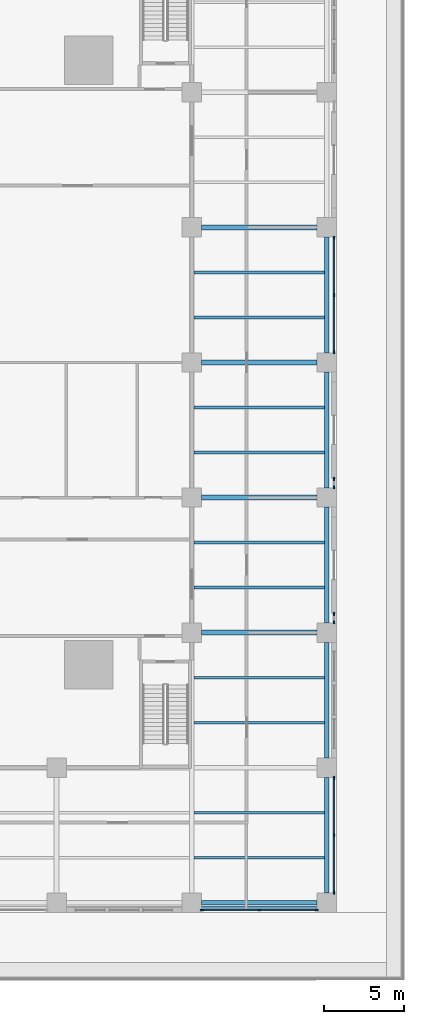
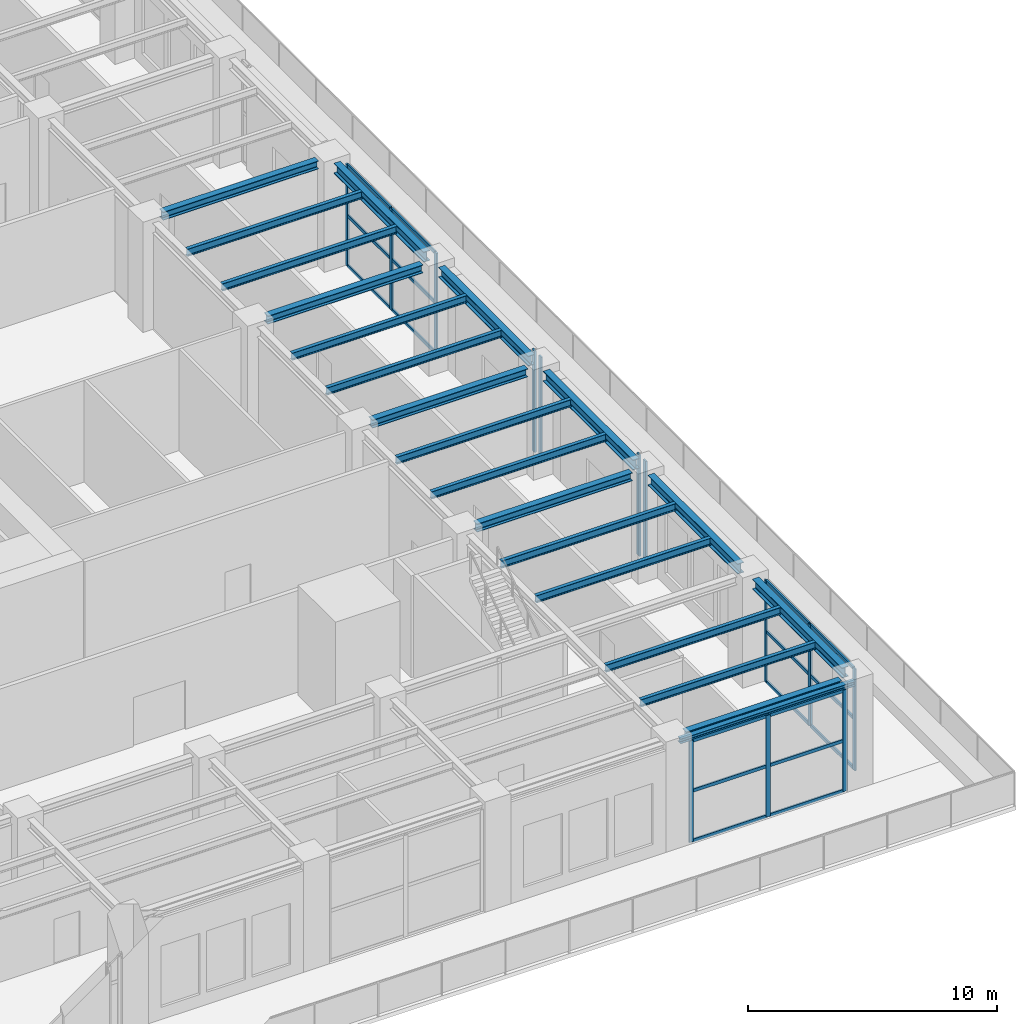
# One storey, part 7 of 36: 31 members, 21 beams, 5 elements without a shape of their own.
"""IFC4 building model written with IfcOpenShell, lengths in metres."""

from ifc_helpers import new_model, si_unit, direction, frame, origin, origin_2d, place, context, subcontext, project, spatial, rectangle, i_section, extrude, material, material_profile, profile_set, type_object, element, aggregate, save


model = new_model("IFC4")

# Units and contexts
model_context = context("Model", 3, precision=1e-05, world=origin(), true_north=direction((0.0, 1.0)))
body_context = subcontext(model_context, "Body", "Model", "MODEL_VIEW")
ifc_project = project(units=[si_unit("LENGTHUNIT", "METRE"), si_unit("AREAUNIT", "SQUARE_METRE"), si_unit("VOLUMEUNIT", "CUBIC_METRE"), si_unit("PLANEANGLEUNIT", "RADIAN"), si_unit("MASSUNIT", "GRAM", prefix="KILO")], contexts=[model_context])

# Site, building, storey
site_placement = place(None, origin())
site = spatial("IfcSite", under=ifc_project, at=site_placement, CompositionType="ELEMENT")
building_placement = place(site_placement, origin())
building = spatial("IfcBuilding", under=site, at=building_placement, Name="Khepri Terraces", CompositionType="ELEMENT")
storey_placement = place(building_placement, frame((0.0, 0.0, 16.800048828125)))
storey = spatial("IfcBuildingStorey", under=building, at=storey_placement, Name="L03", CompositionType="ELEMENT", Elevation=16.800048828125)

# Curtain wall, members
ifc_material_1 = material(Name="Anodised aluminium bronze curtain wall", Category="aluminium")
curtain_wall_type = type_object("IfcCurtainWallType", Name="CW-SYS5-BALLROOM", PredefinedType="NOTDEFINED", material=ifc_material_1)
curtain_wall_1_placement = place(storey_placement, origin())
curtain_wall_1 = element("IfcCurtainWall", 1, at=curtain_wall_1_placement, inside=storey, type_object=curtain_wall_type, Name="Curtain wall CW5 L03 S", PredefinedType="NOTDEFINED")
ifc_material_2 = material(Name="Anodised aluminium bronze", Category="aluminium")
ifc_material_profile_1 = material_profile(ifc_material_2, rectangle(XDim=0.080078125, YDim=0.199951171875, at=origin_2d()), Name="Anodised aluminium bronze", Category="aluminium")
ifc_profile_set_1 = profile_set([ifc_material_profile_1], Name="Anodised aluminium bronze")
member_type_1 = type_object("IfcMemberType", Name="CW-MULLION-80x200", PredefinedType="MULLION", material=ifc_profile_set_1)
member_1_placement = place(storey_placement, frame((25.840087890625, -34.050048828125, 0.0), z_axis=(0.0, 0.0, 1.0), x_axis=(0.0, 1.0, 0.0)))
member_1 = element("IfcMember", 2, at=member_1_placement, type_object=member_type_1, Name="CW5 mullion 1", PredefinedType="MULLION", context=body_context, shape_type="SweptSolid", body=[
    extrude(rectangle(XDim=0.080078125, YDim=0.199951171875, at=origin_2d()), origin(), (0.0, 0.0, 1.0), 4.97998046875),
])
member_2_placement = place(storey_placement, frame((29.39990234375, -34.050048828125, 0.0), z_axis=(0.0, 0.0, 1.0), x_axis=(0.0, 1.0, 0.0)))
member_2 = element("IfcMember", 3, at=member_2_placement, type_object=member_type_1, Name="CW5 mullion 2", PredefinedType="MULLION", context=body_context, shape_type="SweptSolid", body=[
    extrude(rectangle(XDim=0.080078125, YDim=0.199951171875, at=origin_2d()), origin(), (0.0, 0.0, 1.0), 4.97998046875),
])
member_3_placement = place(storey_placement, frame((32.9599609375, -34.050048828125, 0.0), z_axis=(0.0, 0.0, 1.0), x_axis=(0.0, 1.0, 0.0)))
member_3 = element("IfcMember", 4, at=member_3_placement, type_object=member_type_1, Name="CW5 mullion 3", PredefinedType="MULLION", context=body_context, shape_type="SweptSolid", body=[
    extrude(rectangle(XDim=0.080078125, YDim=0.199951171875, at=origin_2d()), origin(), (0.0, 0.0, 1.0), 4.97998046875),
])

curtain_wall_2_placement = place(storey_placement, origin())
curtain_wall_2 = element("IfcCurtainWall", 5, at=curtain_wall_2_placement, inside=storey, type_object=curtain_wall_type, Name="Curtain wall CW5 L03 E", PredefinedType="NOTDEFINED")
member_4_placement = place(storey_placement, frame((34.050048828125, -32.9599609375, 0.0), z_axis=(0.0, 0.0, 1.0), x_axis=(-1.0, 0.0, 0.0)))
member_4 = element("IfcMember", 6, at=member_4_placement, type_object=member_type_1, Name="CW5 mullion 1", PredefinedType="MULLION", context=body_context, shape_type="SweptSolid", body=[
    extrude(rectangle(XDim=0.080078125, YDim=0.199951171875, at=origin_2d()), origin(), (0.0, 0.0, 1.0), 4.97998046875),
])
member_5_placement = place(storey_placement, frame((34.050048828125, -29.39990234375, 0.0), z_axis=(0.0, 0.0, 1.0), x_axis=(-1.0, 0.0, 0.0)))
member_5 = element("IfcMember", 7, at=member_5_placement, type_object=member_type_1, Name="CW5 mullion 2", PredefinedType="MULLION", context=body_context, shape_type="SweptSolid", body=[
    extrude(rectangle(XDim=0.080078125, YDim=0.199951171875, at=origin_2d()), origin(), (0.0, 0.0, 1.0), 4.97998046875),
])
member_6_placement = place(storey_placement, frame((34.050048828125, -25.840087890625, 0.0), z_axis=(0.0, 0.0, 1.0), x_axis=(-1.0, 0.0, 0.0)))
member_6 = element("IfcMember", 8, at=member_6_placement, type_object=member_type_1, Name="CW5 mullion 3", PredefinedType="MULLION", context=body_context, shape_type="SweptSolid", body=[
    extrude(rectangle(XDim=0.080078125, YDim=0.199951171875, at=origin_2d()), origin(), (0.0, 0.0, 1.0), 4.97998046875),
])

curtain_wall_3_placement = place(storey_placement, origin())
curtain_wall_3 = element("IfcCurtainWall", 9, at=curtain_wall_3_placement, inside=storey, type_object=curtain_wall_type, Name="Curtain wall CW5 L03 E", PredefinedType="NOTDEFINED")
member_7_placement = place(storey_placement, frame((34.050048828125, -16.159912109375, 0.0), z_axis=(0.0, 0.0, 1.0), x_axis=(-1.0, 0.0, 0.0)))
member_7 = element("IfcMember", 10, at=member_7_placement, type_object=member_type_1, Name="CW5 mullion 1", PredefinedType="MULLION", context=body_context, shape_type="SweptSolid", body=[
    extrude(rectangle(XDim=0.080078125, YDim=0.199951171875, at=origin_2d()), origin(), (0.0, 0.0, 1.0), 4.97998046875),
])
member_8_placement = place(storey_placement, frame((34.050048828125, -15.639892578125, 0.0), z_axis=(0.0, 0.0, 1.0), x_axis=(-1.0, 0.0, 0.0)))
member_8 = element("IfcMember", 11, at=member_8_placement, type_object=member_type_1, Name="CW5 mullion 2", PredefinedType="MULLION", context=body_context, shape_type="SweptSolid", body=[
    extrude(rectangle(XDim=0.080078125, YDim=0.199951171875, at=origin_2d()), origin(), (0.0, 0.0, 1.0), 4.97998046875),
])
aggregate(curtain_wall_3, [member_7, member_8])

curtain_wall_4_placement = place(storey_placement, origin())
curtain_wall_4 = element("IfcCurtainWall", 12, at=curtain_wall_4_placement, inside=storey, type_object=curtain_wall_type, Name="Curtain wall CW5 L03 E", PredefinedType="NOTDEFINED")
member_9_placement = place(storey_placement, frame((34.050048828125, -7.760009765625, 0.0), z_axis=(0.0, 0.0, 1.0), x_axis=(-1.0, 0.0, 0.0)))
member_9 = element("IfcMember", 13, at=member_9_placement, type_object=member_type_1, Name="CW5 mullion 1", PredefinedType="MULLION", context=body_context, shape_type="SweptSolid", body=[
    extrude(rectangle(XDim=0.080078125, YDim=0.199951171875, at=origin_2d()), origin(), (0.0, 0.0, 1.0), 4.97998046875),
])
member_10_placement = place(storey_placement, frame((34.050048828125, -7.239990234375, 0.0), z_axis=(0.0, 0.0, 1.0), x_axis=(-1.0, 0.0, 0.0)))
member_10 = element("IfcMember", 14, at=member_10_placement, type_object=member_type_1, Name="CW5 mullion 2", PredefinedType="MULLION", context=body_context, shape_type="SweptSolid", body=[
    extrude(rectangle(XDim=0.080078125, YDim=0.199951171875, at=origin_2d()), origin(), (0.0, 0.0, 1.0), 4.97998046875),
])
aggregate(curtain_wall_4, [member_9, member_10])

curtain_wall_5_placement = place(storey_placement, origin())
curtain_wall_5 = element("IfcCurtainWall", 15, at=curtain_wall_5_placement, inside=storey, type_object=curtain_wall_type, Name="Curtain wall CW5 L03 E", PredefinedType="NOTDEFINED")
member_11_placement = place(storey_placement, frame((34.050048828125, 0.639892578125, 0.0), z_axis=(0.0, 0.0, 1.0), x_axis=(-1.0, 0.0, 0.0)))
member_11 = element("IfcMember", 16, at=member_11_placement, type_object=member_type_1, Name="CW5 mullion 1", PredefinedType="MULLION", context=body_context, shape_type="SweptSolid", body=[
    extrude(rectangle(XDim=0.080078125, YDim=0.199951171875, at=origin_2d()), origin(), (0.0, 0.0, 1.0), 4.97998046875),
])
member_12_placement = place(storey_placement, frame((34.050048828125, 4.199951171875, 0.0), z_axis=(0.0, 0.0, 1.0), x_axis=(-1.0, 0.0, 0.0)))
member_12 = element("IfcMember", 17, at=member_12_placement, type_object=member_type_1, Name="CW5 mullion 2", PredefinedType="MULLION", context=body_context, shape_type="SweptSolid", body=[
    extrude(rectangle(XDim=0.080078125, YDim=0.199951171875, at=origin_2d()), origin(), (0.0, 0.0, 1.0), 4.97998046875),
])
member_13_placement = place(storey_placement, frame((34.050048828125, 7.760009765625, 0.0), z_axis=(0.0, 0.0, 1.0), x_axis=(-1.0, 0.0, 0.0)))
member_13 = element("IfcMember", 18, at=member_13_placement, type_object=member_type_1, Name="CW5 mullion 3", PredefinedType="MULLION", context=body_context, shape_type="SweptSolid", body=[
    extrude(rectangle(XDim=0.080078125, YDim=0.199951171875, at=origin_2d()), origin(), (0.0, 0.0, 1.0), 4.97998046875),
])

# Member
ifc_material_profile_2 = material_profile(ifc_material_2, rectangle(XDim=0.080078125, YDim=0.159912109375, at=origin_2d()), Name="Anodised aluminium bronze", Category="aluminium")
ifc_profile_set_2 = profile_set([ifc_material_profile_2], Name="Anodised aluminium bronze")
member_type_2 = type_object("IfcMemberType", Name="CW-TRANSOM-80x160", PredefinedType="USERDEFINED", material=ifc_profile_set_2)
member_14_placement = place(storey_placement, frame((25.8798828125, -34.050048828125, 0.0400390625), z_axis=(1.0, 0.0, 0.0), x_axis=(0.0, 1.0, 0.0)))
member_14 = element("IfcMember", 19, at=member_14_placement, type_object=member_type_2, Name="CW5 transom 1.1", ObjectType="TRANSOM", PredefinedType="USERDEFINED", context=body_context, shape_type="SweptSolid", body=[
    extrude(rectangle(XDim=0.080078125, YDim=0.159912109375, at=origin_2d()), origin(), (0.0, 0.0, 1.0), 3.480224609375),
])

member_15_placement = place(storey_placement, frame((25.8798828125, -34.050048828125, 2.489990234375), z_axis=(1.0, 0.0, 0.0), x_axis=(0.0, 1.0, 0.0)))
member_15 = element("IfcMember", 20, at=member_15_placement, type_object=member_type_2, Name="CW5 transom 1.2", ObjectType="TRANSOM", PredefinedType="USERDEFINED", context=body_context, shape_type="SweptSolid", body=[
    extrude(rectangle(XDim=0.080078125, YDim=0.159912109375, at=origin_2d()), origin(), (0.0, 0.0, 1.0), 3.480224609375),
])

member_16_placement = place(storey_placement, frame((25.8798828125, -34.050048828125, 4.93994140625), z_axis=(1.0, 0.0, 0.0), x_axis=(0.0, 1.0, 0.0)))
member_16 = element("IfcMember", 21, at=member_16_placement, type_object=member_type_2, Name="CW5 transom 1.3", ObjectType="TRANSOM", PredefinedType="USERDEFINED", context=body_context, shape_type="SweptSolid", body=[
    extrude(rectangle(XDim=0.080078125, YDim=0.159912109375, at=origin_2d()), origin(), (0.0, 0.0, 1.0), 3.480224609375),
])

member_17_placement = place(storey_placement, frame((29.43994140625, -34.050048828125, 0.0400390625), z_axis=(1.0, 0.0, 0.0), x_axis=(0.0, 1.0, 0.0)))
member_17 = element("IfcMember", 22, at=member_17_placement, type_object=member_type_2, Name="CW5 transom 2.1", ObjectType="TRANSOM", PredefinedType="USERDEFINED", context=body_context, shape_type="SweptSolid", body=[
    extrude(rectangle(XDim=0.080078125, YDim=0.159912109375, at=origin_2d()), origin(), (0.0, 0.0, 1.0), 3.47998046875),
])

member_18_placement = place(storey_placement, frame((29.43994140625, -34.050048828125, 2.489990234375), z_axis=(1.0, 0.0, 0.0), x_axis=(0.0, 1.0, 0.0)))
member_18 = element("IfcMember", 23, at=member_18_placement, type_object=member_type_2, Name="CW5 transom 2.2", ObjectType="TRANSOM", PredefinedType="USERDEFINED", context=body_context, shape_type="SweptSolid", body=[
    extrude(rectangle(XDim=0.080078125, YDim=0.159912109375, at=origin_2d()), origin(), (0.0, 0.0, 1.0), 3.47998046875),
])

member_19_placement = place(storey_placement, frame((29.43994140625, -34.050048828125, 4.93994140625), z_axis=(1.0, 0.0, 0.0), x_axis=(0.0, 1.0, 0.0)))
member_19 = element("IfcMember", 24, at=member_19_placement, type_object=member_type_2, Name="CW5 transom 2.3", ObjectType="TRANSOM", PredefinedType="USERDEFINED", context=body_context, shape_type="SweptSolid", body=[
    extrude(rectangle(XDim=0.080078125, YDim=0.159912109375, at=origin_2d()), origin(), (0.0, 0.0, 1.0), 3.47998046875),
])

aggregate(curtain_wall_1, [member_1, member_2, member_3, member_14, member_15, member_16, member_17, member_18, member_19])

member_20_placement = place(storey_placement, frame((34.050048828125, -32.919921875, 0.0400390625), z_axis=(0.0, 1.0, 0.0), x_axis=(-1.0, 0.0, 0.0)))
member_20 = element("IfcMember", 25, at=member_20_placement, type_object=member_type_2, Name="CW5 transom 1.1", ObjectType="TRANSOM", PredefinedType="USERDEFINED", context=body_context, shape_type="SweptSolid", body=[
    extrude(rectangle(XDim=0.080078125, YDim=0.159912109375, at=origin_2d()), origin(), (0.0, 0.0, 1.0), 3.47998046875),
])

member_21_placement = place(storey_placement, frame((34.050048828125, -32.919921875, 2.489990234375), z_axis=(0.0, 1.0, 0.0), x_axis=(-1.0, 0.0, 0.0)))
member_21 = element("IfcMember", 26, at=member_21_placement, type_object=member_type_2, Name="CW5 transom 1.2", ObjectType="TRANSOM", PredefinedType="USERDEFINED", context=body_context, shape_type="SweptSolid", body=[
    extrude(rectangle(XDim=0.080078125, YDim=0.159912109375, at=origin_2d()), origin(), (0.0, 0.0, 1.0), 3.47998046875),
])

member_22_placement = place(storey_placement, frame((34.050048828125, -32.919921875, 4.93994140625), z_axis=(0.0, 1.0, 0.0), x_axis=(-1.0, 0.0, 0.0)))
member_22 = element("IfcMember", 27, at=member_22_placement, type_object=member_type_2, Name="CW5 transom 1.3", ObjectType="TRANSOM", PredefinedType="USERDEFINED", context=body_context, shape_type="SweptSolid", body=[
    extrude(rectangle(XDim=0.080078125, YDim=0.159912109375, at=origin_2d()), origin(), (0.0, 0.0, 1.0), 3.47998046875),
])

member_23_placement = place(storey_placement, frame((34.050048828125, -29.360107421875, 0.0400390625), z_axis=(0.0, 1.0, 0.0), x_axis=(-1.0, 0.0, 0.0)))
member_23 = element("IfcMember", 28, at=member_23_placement, type_object=member_type_2, Name="CW5 transom 2.1", ObjectType="TRANSOM", PredefinedType="USERDEFINED", context=body_context, shape_type="SweptSolid", body=[
    extrude(rectangle(XDim=0.080078125, YDim=0.159912109375, at=origin_2d()), origin(), (0.0, 0.0, 1.0), 3.480224609375),
])

member_24_placement = place(storey_placement, frame((34.050048828125, -29.360107421875, 2.489990234375), z_axis=(0.0, 1.0, 0.0), x_axis=(-1.0, 0.0, 0.0)))
member_24 = element("IfcMember", 29, at=member_24_placement, type_object=member_type_2, Name="CW5 transom 2.2", ObjectType="TRANSOM", PredefinedType="USERDEFINED", context=body_context, shape_type="SweptSolid", body=[
    extrude(rectangle(XDim=0.080078125, YDim=0.159912109375, at=origin_2d()), origin(), (0.0, 0.0, 1.0), 3.480224609375),
])

member_25_placement = place(storey_placement, frame((34.050048828125, -29.360107421875, 4.93994140625), z_axis=(0.0, 1.0, 0.0), x_axis=(-1.0, 0.0, 0.0)))
member_25 = element("IfcMember", 30, at=member_25_placement, type_object=member_type_2, Name="CW5 transom 2.3", ObjectType="TRANSOM", PredefinedType="USERDEFINED", context=body_context, shape_type="SweptSolid", body=[
    extrude(rectangle(XDim=0.080078125, YDim=0.159912109375, at=origin_2d()), origin(), (0.0, 0.0, 1.0), 3.480224609375),
])

aggregate(curtain_wall_2, [member_4, member_5, member_6, member_20, member_21, member_22, member_23, member_24, member_25])

member_26_placement = place(storey_placement, frame((34.050048828125, 0.679931640625, 0.0400390625), z_axis=(0.0, 1.0, 0.0), x_axis=(-1.0, 0.0, 0.0)))
member_26 = element("IfcMember", 31, at=member_26_placement, type_object=member_type_2, Name="CW5 transom 1.1", ObjectType="TRANSOM", PredefinedType="USERDEFINED", context=body_context, shape_type="SweptSolid", body=[
    extrude(rectangle(XDim=0.080078125, YDim=0.159912109375, at=origin_2d()), origin(), (0.0, 0.0, 1.0), 3.47998046875),
])

member_27_placement = place(storey_placement, frame((34.050048828125, 0.679931640625, 2.489990234375), z_axis=(0.0, 1.0, 0.0), x_axis=(-1.0, 0.0, 0.0)))
member_27 = element("IfcMember", 32, at=member_27_placement, type_object=member_type_2, Name="CW5 transom 1.2", ObjectType="TRANSOM", PredefinedType="USERDEFINED", context=body_context, shape_type="SweptSolid", body=[
    extrude(rectangle(XDim=0.080078125, YDim=0.159912109375, at=origin_2d()), origin(), (0.0, 0.0, 1.0), 3.47998046875),
])

member_28_placement = place(storey_placement, frame((34.050048828125, 0.679931640625, 4.93994140625), z_axis=(0.0, 1.0, 0.0), x_axis=(-1.0, 0.0, 0.0)))
member_28 = element("IfcMember", 33, at=member_28_placement, type_object=member_type_2, Name="CW5 transom 1.3", ObjectType="TRANSOM", PredefinedType="USERDEFINED", context=body_context, shape_type="SweptSolid", body=[
    extrude(rectangle(XDim=0.080078125, YDim=0.159912109375, at=origin_2d()), origin(), (0.0, 0.0, 1.0), 3.47998046875),
])

member_29_placement = place(storey_placement, frame((34.050048828125, 4.239990234375, 0.0400390625), z_axis=(0.0, 1.0, 0.0), x_axis=(-1.0, 0.0, 0.0)))
member_29 = element("IfcMember", 34, at=member_29_placement, type_object=member_type_2, Name="CW5 transom 2.1", ObjectType="TRANSOM", PredefinedType="USERDEFINED", context=body_context, shape_type="SweptSolid", body=[
    extrude(rectangle(XDim=0.080078125, YDim=0.159912109375, at=origin_2d()), origin(), (0.0, 0.0, 1.0), 3.47998046875),
])

member_30_placement = place(storey_placement, frame((34.050048828125, 4.239990234375, 2.489990234375), z_axis=(0.0, 1.0, 0.0), x_axis=(-1.0, 0.0, 0.0)))
member_30 = element("IfcMember", 35, at=member_30_placement, type_object=member_type_2, Name="CW5 transom 2.2", ObjectType="TRANSOM", PredefinedType="USERDEFINED", context=body_context, shape_type="SweptSolid", body=[
    extrude(rectangle(XDim=0.080078125, YDim=0.159912109375, at=origin_2d()), origin(), (0.0, 0.0, 1.0), 3.47998046875),
])

member_31_placement = place(storey_placement, frame((34.050048828125, 4.239990234375, 4.93994140625), z_axis=(0.0, 1.0, 0.0), x_axis=(-1.0, 0.0, 0.0)))
member_31 = element("IfcMember", 36, at=member_31_placement, type_object=member_type_2, Name="CW5 transom 2.3", ObjectType="TRANSOM", PredefinedType="USERDEFINED", context=body_context, shape_type="SweptSolid", body=[
    extrude(rectangle(XDim=0.080078125, YDim=0.159912109375, at=origin_2d()), origin(), (0.0, 0.0, 1.0), 3.47998046875),
])

aggregate(curtain_wall_5, [member_11, member_12, member_13, member_26, member_27, member_28, member_29, member_30, member_31])

# Beams
ifc_material_3 = material(Name="Steel S355", Category="steel")
ifc_material_profile_3 = material_profile(ifc_material_3, i_section(OverallWidth=0.239990234375, OverallDepth=0.22998046875, WebThickness=0.007568359375, FlangeThickness=0.011962890625, FilletRadius=0.02099609375, at=origin_2d()), Name="Steel S355", Category="steel")
ifc_profile_set_3 = profile_set([ifc_material_profile_3], Name="Steel S355")
beam_type_1 = type_object("IfcBeamType", Name="Podium edge beam L04 HEA 240", PredefinedType="SPANDREL", material=ifc_profile_set_3)
beam_1_placement = place(storey_placement, frame((25.35009765625, -33.949951171875, 5.0849609375), z_axis=(1.0, 0.0, 0.0), x_axis=(0.0, 1.0, 0.0)))
element("IfcBeam", 37, at=beam_1_placement, inside=storey, type_object=beam_type_1, Name="Podium edge beam L04 008", PredefinedType="SPANDREL", context=body_context, shape_type="SweptSolid", body=[
    extrude(i_section(OverallWidth=0.239990234375, OverallDepth=0.22998046875, WebThickness=0.007568359375, FlangeThickness=0.011962890625, FilletRadius=0.02099609375, at=origin_2d()), origin(), (0.0, 0.0, 1.0), 8.099853515625),
])
ifc_material_profile_4 = material_profile(ifc_material_3, i_section(OverallWidth=0.300048828125, OverallDepth=0.5, WebThickness=0.014404296875, FlangeThickness=0.028076171875, FilletRadius=0.027099609375, at=origin_2d()), Name="Steel S355", Category="steel")
ifc_profile_set_4 = profile_set([ifc_material_profile_4], Name="Steel S355")
beam_type_2 = type_object("IfcBeamType", Name="Podium girder L04 HEB 500", PredefinedType="BEAM", material=ifc_profile_set_4)
beam_2_placement = place(storey_placement, frame((33.60009765625, -33.0, 4.949951171875), z_axis=(0.0, 1.0, 0.0), x_axis=(-1.0, 0.0, 0.0)))
element("IfcBeam", 38, at=beam_2_placement, inside=storey, type_object=beam_type_2, Name="Podium girder L04 031", PredefinedType="BEAM", context=body_context, shape_type="SweptSolid", body=[
    extrude(i_section(OverallWidth=0.300048828125, OverallDepth=0.5, WebThickness=0.014404296875, FlangeThickness=0.028076171875, FilletRadius=0.027099609375, at=origin_2d()), origin(), (0.0, 0.0, 1.0), 7.199951171875),
])
beam_3_placement = place(storey_placement, frame((33.60009765625, -24.60009765625, 4.949951171875), z_axis=(0.0, 1.0, 0.0), x_axis=(-1.0, 0.0, 0.0)))
element("IfcBeam", 39, at=beam_3_placement, inside=storey, type_object=beam_type_2, Name="Podium girder L04 032", PredefinedType="BEAM", context=body_context, shape_type="SweptSolid", body=[
    extrude(i_section(OverallWidth=0.300048828125, OverallDepth=0.5, WebThickness=0.014404296875, FlangeThickness=0.028076171875, FilletRadius=0.027099609375, at=origin_2d()), origin(), (0.0, 0.0, 1.0), 7.2001953125),
])
for number, where, z_axis, x_axis, name in (
    (40, (33.60009765625, -16.199951171875, 4.949951171875), (0.0, 1.0, 0.0), (-1.0, 0.0, 0.0), "Podium girder L04 033"),
    (41, (33.60009765625, -7.800048828125, 4.949951171875), (0.0, 1.0, 0.0), (-1.0, 0.0, 0.0), "Podium girder L04 034"),
    (42, (33.60009765625, 0.60009765625, 4.949951171875), (0.0, 1.0, 0.0), (-1.0, 0.0, 0.0), "Podium girder L04 035"),
):
    element("IfcBeam", number, at=place(storey_placement, frame(where, z_axis=z_axis, x_axis=x_axis)), inside=storey, type_object=beam_type_2, Name=name, PredefinedType="BEAM", context=body_context, shape_type="SweptSolid", body=[
        extrude(i_section(OverallWidth=0.300048828125, OverallDepth=0.5, WebThickness=0.014404296875, FlangeThickness=0.028076171875, FilletRadius=0.027099609375, at=origin_2d()), origin(), (0.0, 0.0, 1.0), 7.199951171875),
    ])
ifc_material_profile_5 = material_profile(ifc_material_3, i_section(OverallWidth=0.300048828125, OverallDepth=0.39990234375, WebThickness=0.013427734375, FlangeThickness=0.02392578125, FilletRadius=0.027099609375, at=origin_2d()), Name="Steel S355", Category="steel")
ifc_profile_set_5 = profile_set([ifc_material_profile_5], Name="Steel S355")
beam_type_3 = type_object("IfcBeamType", Name="Podium girder L04 grid line HEB 400", PredefinedType="BEAM", material=ifc_profile_set_5)
for number, where, z_axis, x_axis, name in (
    (43, (25.800048828125, -33.60009765625, 5.0), (1.0, 0.0, 0.0), (0.0, 1.0, 0.0), "Podium grid-line girder L04 008"),
    (44, (25.800048828125, -16.800048828125, 5.0), (1.0, 0.0, 0.0), (0.0, 1.0, 0.0), "Podium grid-line girder L04 036"),
    (45, (25.800048828125, -8.39990234375, 5.0), (1.0, 0.0, 0.0), (0.0, 1.0, 0.0), "Podium grid-line girder L04 042"),
    (46, (25.800048828125, 0.0, 5.0), (1.0, 0.0, 0.0), (0.0, 1.0, 0.0), "Podium grid-line girder L04 048"),
    (47, (25.800048828125, 8.39990234375, 5.0), (1.0, 0.0, 0.0), (0.0, 1.0, 0.0), "Podium grid-line girder L04 054"),
):
    element("IfcBeam", number, at=place(storey_placement, frame(where, z_axis=z_axis, x_axis=x_axis)), inside=storey, type_object=beam_type_3, Name=name, PredefinedType="BEAM", context=body_context, shape_type="SweptSolid", body=[
        extrude(i_section(OverallWidth=0.300048828125, OverallDepth=0.39990234375, WebThickness=0.013427734375, FlangeThickness=0.02392578125, FilletRadius=0.027099609375, at=origin_2d()), origin(), (0.0, 0.0, 1.0), 7.199951171875),
    ])
ifc_material_profile_6 = material_profile(ifc_material_3, i_section(OverallWidth=0.169921875, OverallDepth=0.360107421875, WebThickness=0.008056640625, FlangeThickness=0.0126953125, FilletRadius=0.01806640625, at=origin_2d()), Name="Steel S355", Category="steel")
ifc_profile_set_6 = profile_set([ifc_material_profile_6], Name="Steel S355")
beam_type_4 = type_object("IfcBeamType", Name="Podium joist L04 IPE 360", PredefinedType="JOIST", material=ifc_profile_set_6)
for number, where, z_axis, x_axis, name in (
    (48, (25.35009765625, -30.800048828125, 5.02001953125), (1.0, 0.0, 0.0), (0.0, 1.0, 0.0), "Podium joist L04 016"),
    (49, (25.35009765625, -28.0, 5.02001953125), (1.0, 0.0, 0.0), (0.0, 1.0, 0.0), "Podium joist L04 024"),
    (50, (25.35009765625, -22.39990234375, 5.02001953125), (1.0, 0.0, 0.0), (0.0, 1.0, 0.0), "Podium joist L04 032"),
    (51, (25.35009765625, -19.60009765625, 5.02001953125), (1.0, 0.0, 0.0), (0.0, 1.0, 0.0), "Podium joist L04 034"),
    (52, (25.35009765625, -14.0, 5.02001953125), (1.0, 0.0, 0.0), (0.0, 1.0, 0.0), "Podium joist L04 038"),
    (53, (25.35009765625, -11.199951171875, 5.02001953125), (1.0, 0.0, 0.0), (0.0, 1.0, 0.0), "Podium joist L04 040"),
    (54, (25.35009765625, -5.60009765625, 5.02001953125), (1.0, 0.0, 0.0), (0.0, 1.0, 0.0), "Podium joist L04 044"),
    (55, (25.35009765625, -2.800048828125, 5.02001953125), (1.0, 0.0, 0.0), (0.0, 1.0, 0.0), "Podium joist L04 046"),
    (56, (25.35009765625, 2.800048828125, 5.02001953125), (1.0, 0.0, 0.0), (0.0, 1.0, 0.0), "Podium joist L04 050"),
    (57, (25.35009765625, 5.60009765625, 5.02001953125), (1.0, 0.0, 0.0), (0.0, 1.0, 0.0), "Podium joist L04 052"),
):
    element("IfcBeam", number, at=place(storey_placement, frame(where, z_axis=z_axis, x_axis=x_axis)), inside=storey, type_object=beam_type_4, Name=name, PredefinedType="JOIST", context=body_context, shape_type="SweptSolid", body=[
        extrude(i_section(OverallWidth=0.169921875, OverallDepth=0.360107421875, WebThickness=0.008056640625, FlangeThickness=0.0126953125, FilletRadius=0.01806640625, at=origin_2d()), origin(), (0.0, 0.0, 1.0), 8.099853515625),
    ])

save(model, "model.ifc")
